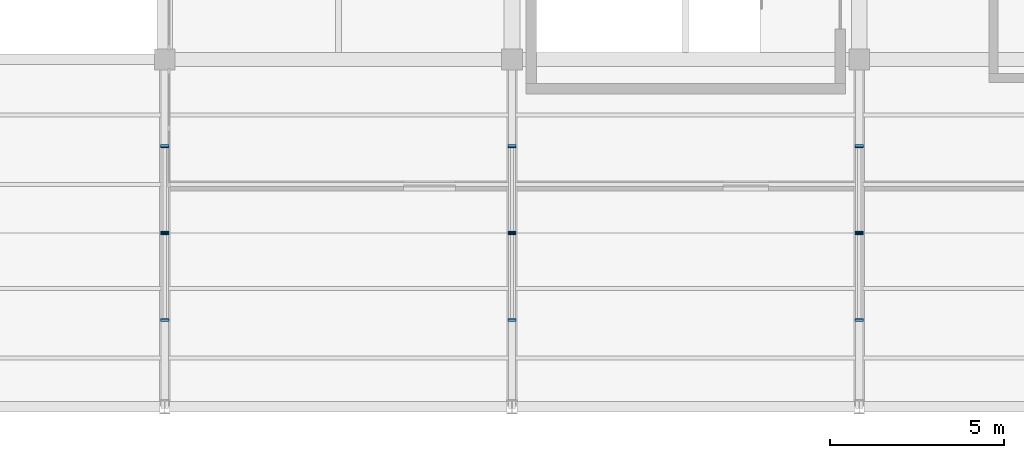
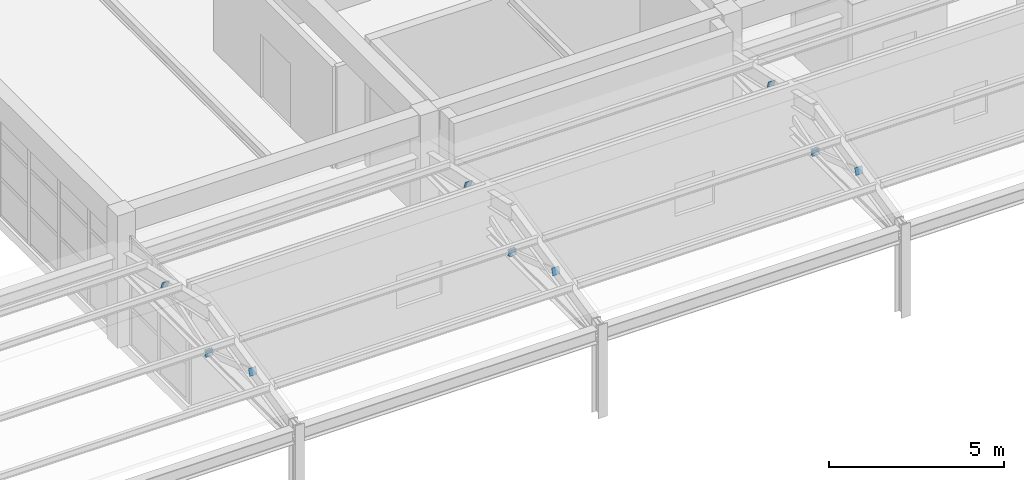
# One storey, part 80 of 109: 12 plates.
"""IFC4 building model written with IfcOpenShell, lengths in metres."""

from ifc_helpers import new_model, si_unit, direction, frame, origin, origin_2d, place, context, subcontext, project, spatial, rectangle, extrude, material, layer, layer_set, type_object, element, save


model = new_model("IFC4")

# Units and contexts
model_context = context("Model", 3, precision=1e-05, world=origin(), true_north=direction((0.0, 1.0)))
body_context = subcontext(model_context, "Body", "Model", "MODEL_VIEW")
ifc_project = project(units=[si_unit("LENGTHUNIT", "METRE"), si_unit("AREAUNIT", "SQUARE_METRE"), si_unit("VOLUMEUNIT", "CUBIC_METRE"), si_unit("PLANEANGLEUNIT", "RADIAN"), si_unit("MASSUNIT", "GRAM", prefix="KILO")], contexts=[model_context])

# Site, building, storey
site_placement = place(None, origin())
site = spatial("IfcSite", under=ifc_project, at=site_placement, CompositionType="ELEMENT")
building_placement = place(site_placement, origin())
building = spatial("IfcBuilding", under=site, at=building_placement, Name="Kivolera Central Railway Station", CompositionType="ELEMENT")
storey_placement = place(building_placement, frame((0.0, 0.0, 9.60009765625)))
storey = spatial("IfcBuildingStorey", under=building, at=storey_placement, Name="L02", CompositionType="ELEMENT", Elevation=9.60009765625)

# Plates
ifc_material = material(Name="Steel S355", Category="steel")
ifc_layer = layer(ifc_material, 0.02197265625, Name="Steel S355")
ifc_layer_set = layer_set([ifc_layer], Name="Steel S355")
plate_type = type_object("IfcPlateType", Name="PLT-CAP-260", PredefinedType="SHEET", material=ifc_layer_set)
for number, where, z_axis, x_axis, name in (
    (1, (48.0, 11.00390625, 2.618896484375), (0.0, -0.946194484088, 0.32359851403), (1.0, 0.0, 0.0), "Hollow section end-cap plate NP-CAP2"),
    (2, (48.0, 8.49609375, 3.475830078125), (0.0, -0.946194484088, 0.32359851403), (1.0, 0.0, 0.0), "Hollow section end-cap plate NP-CAP2"),
    (3, (48.0, 10.99609375, 2.618896484375), (0.0, 0.946194484088, 0.32359851403), (-1.0, 0.0, 0.0), "Hollow section end-cap plate NP-CAP2"),
    (4, (48.0, 13.50390625, 3.475830078125), (0.0, 0.946194484088, 0.32359851403), (-1.0, 0.0, 0.0), "Hollow section end-cap plate NP-CAP2"),
    (5, (58.0, 11.00390625, 2.618896484375), (0.0, -0.946194484088, 0.32359851403), (1.0, 0.0, 0.0), "Hollow section end-cap plate NP-CAP2"),
    (6, (58.0, 8.49609375, 3.475830078125), (0.0, -0.946194484088, 0.32359851403), (1.0, 0.0, 0.0), "Hollow section end-cap plate NP-CAP2"),
    (7, (58.0, 10.99609375, 2.618896484375), (0.0, 0.946194484088, 0.32359851403), (-1.0, 0.0, 0.0), "Hollow section end-cap plate NP-CAP2"),
    (8, (58.0, 13.50390625, 3.475830078125), (0.0, 0.946194484088, 0.32359851403), (-1.0, 0.0, 0.0), "Hollow section end-cap plate NP-CAP2"),
    (9, (68.0, 11.00390625, 2.618896484375), (0.0, -0.946194484088, 0.32359851403), (1.0, 0.0, 0.0), "Hollow section end-cap plate NP-CAP2"),
    (10, (68.0, 8.49609375, 3.475830078125), (0.0, -0.946194484088, 0.32359851403), (1.0, 0.0, 0.0), "Hollow section end-cap plate NP-CAP2"),
    (11, (68.0, 10.99609375, 2.618896484375), (0.0, 0.946194484088, 0.32359851403), (-1.0, 0.0, 0.0), "Hollow section end-cap plate NP-CAP2"),
    (12, (68.0, 13.50390625, 3.475830078125), (0.0, 0.946194484088, 0.32359851403), (-1.0, 0.0, 0.0), "Hollow section end-cap plate NP-CAP2"),
):
    element("IfcPlate", number, at=place(storey_placement, frame(where, z_axis=z_axis, x_axis=x_axis)), inside=storey, type_object=plate_type, Name=name, PredefinedType="SHEET", context=body_context, shape_type="SweptSolid", body=[
        extrude(rectangle(XDim=0.239990234375, YDim=0.239990234375, at=origin_2d()), frame((0.0, 0.0, -0.010986328125)), (0.0, 0.0, 1.0), 0.02197265625),
    ])

save(model, "model.ifc")
